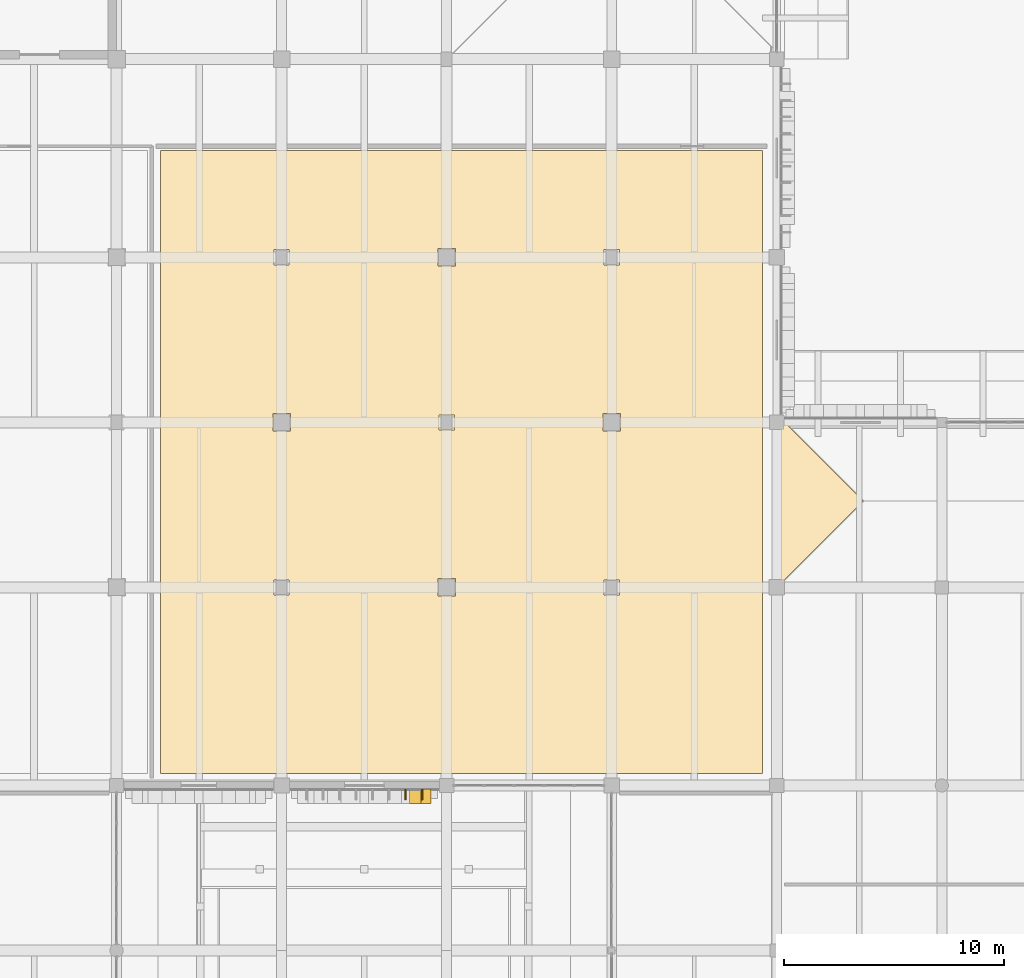
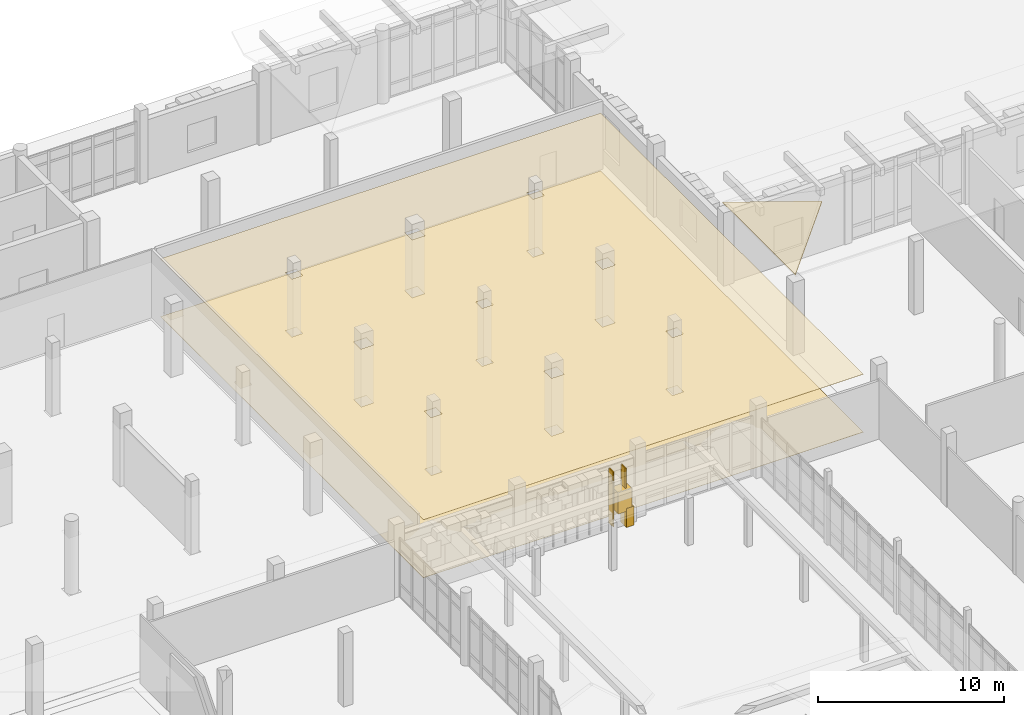
# One storey, part 123 of 125: 5 coverings, 2 shading devices.
"""IFC4 building model written with IfcOpenShell, lengths in metres."""

from ifc_helpers import new_model, si_unit, direction, frame, origin, origin_2d, place, context, subcontext, project, spatial, polyline, rectangle, outline, extrude, material, layer, layer_set, type_object, element, save


model = new_model("IFC4")

# Units and contexts
model_context = context("Model", 3, precision=1e-05, world=origin(), true_north=direction((0.0, 1.0)))
body_context = subcontext(model_context, "Body", "Model", "MODEL_VIEW")
ifc_project = project(units=[si_unit("LENGTHUNIT", "METRE"), si_unit("AREAUNIT", "SQUARE_METRE"), si_unit("VOLUMEUNIT", "CUBIC_METRE"), si_unit("PLANEANGLEUNIT", "RADIAN"), si_unit("MASSUNIT", "GRAM", prefix="KILO")], contexts=[model_context])

# Site, building, storey
site_placement = place(None, origin())
site = spatial("IfcSite", under=ifc_project, at=site_placement, CompositionType="ELEMENT")
building_placement = place(site_placement, origin())
building = spatial("IfcBuilding", under=site, at=building_placement, Name="Dalvernix Boulevard General Hospital", CompositionType="ELEMENT")
storey_placement = place(building_placement, origin())
storey = spatial("IfcBuildingStorey", under=building, at=storey_placement, Name="L00", CompositionType="ELEMENT", Elevation=0.0)

# Coverings
ifc_material_1 = material(Name="Pressed Catalan clay brick and dressed limestone parabolic archivolt", Category="masonry")
ifc_layer_1 = layer(ifc_material_1, 0.419921875)
ifc_layer_set_1 = layer_set([ifc_layer_1], Name="Pressed Catalan clay brick and dressed limestone parabolic archivolt (COV-ARC-01)")
covering_type_1 = type_object("IfcCoveringType", Name="COV-ARC-01", PredefinedType="CLADDING", material=ifc_layer_set_1)
covering_1_placement = place(storey_placement, frame((126.5625, 76.014892578125, 0.0), z_axis=(0.0, 0.0, 1.0), x_axis=(-1.0, 0.0, 0.0)))
element("IfcCovering", 1, at=covering_1_placement, inside=storey, type_object=covering_type_1, Name="L00 Catalan parabolic arch impost pier S 16-10-L", PredefinedType="CLADDING", context=body_context, shape_type="SweptSolid", body=[
    extrude(rectangle(XDim=0.4599609375, YDim=0.659912109375, at=origin_2d()), origin(), (0.0, 0.0, 1.0), 1.25),
])
covering_2_placement = place(storey_placement, frame((126.25146484375, 76.014892578125, 1.059814453125), z_axis=(0.0, 0.0, 1.0), x_axis=(-1.0, 0.0, 0.0)))
element("IfcCovering", 2, at=covering_2_placement, inside=storey, type_object=covering_type_1, Name="L00 Catalan parabolic archivolt voussoir S 16-10-1", PredefinedType="CLADDING", context=body_context, shape_type="SweptSolid", body=[
    extrude(rectangle(XDim=0.8623046875, YDim=0.659912109375, at=origin_2d()), origin(), (0.0, 0.0, 1.0), 1.3994140625),
])
ifc_material_2 = material(Name="Antimicrobial acoustic mineral-fibre suspended ceiling")
ifc_layer_2 = layer(ifc_material_2, 0.02490234375)
ifc_layer_set_2 = layer_set([ifc_layer_2], Name="Antimicrobial acoustic mineral-fibre suspended ceiling (COV-CEIL-01)")
covering_type_2 = type_object("IfcCoveringType", Name="COV-CEIL-01", PredefinedType="CEILING", material=ifc_layer_set_2)
covering_3_placement = place(storey_placement, frame((0.0, 0.0, 3.794921875)))
element("IfcCovering", 3, at=covering_3_placement, inside=storey, type_object=covering_type_2, Name="L00 Hospital Central Stores and Logistics Hall 04 hygienic suspended ceiling", PredefinedType="CEILING", context=body_context, shape_type="SweptSolid", body=[
    extrude(outline(polyline([(114.5, 77.050048828125), (114.5, 105.35009765625), (141.85009765625, 105.35009765625), (141.85009765625, 77.050048828125), (114.5, 77.050048828125)]), holes=[polyline([(120.344970703125, 85.844970703125), (119.655029296875, 85.844970703125), (119.655029296875, 85.155029296875), (120.344970703125, 85.155029296875), (120.344970703125, 85.844970703125)]), polyline([(120.39501953125, 92.60498046875), (120.39501953125, 93.39501953125), (119.60498046875, 93.39501953125), (119.60498046875, 92.60498046875), (120.39501953125, 92.60498046875)]), polyline([(119.655029296875, 100.155029296875), (120.344970703125, 100.155029296875), (120.344970703125, 100.844970703125), (119.655029296875, 100.844970703125), (119.655029296875, 100.155029296875)]), polyline([(127.10498046875, 85.89501953125), (127.10498046875, 85.10498046875), (127.89501953125, 85.10498046875), (127.89501953125, 85.89501953125), (127.10498046875, 85.89501953125)]), polyline([(127.844970703125, 93.344970703125), (127.155029296875, 93.344970703125), (127.155029296875, 92.655029296875), (127.844970703125, 92.655029296875), (127.844970703125, 93.344970703125)]), polyline([(127.89501953125, 100.10498046875), (127.89501953125, 100.89501953125), (127.10498046875, 100.89501953125), (127.10498046875, 100.10498046875), (127.89501953125, 100.10498046875)]), polyline([(134.655029296875, 85.155029296875), (135.344970703125, 85.155029296875), (135.344970703125, 85.844970703125), (134.655029296875, 85.844970703125), (134.655029296875, 85.155029296875)]), polyline([(134.60498046875, 93.39501953125), (134.60498046875, 92.60498046875), (135.39501953125, 92.60498046875), (135.39501953125, 93.39501953125), (134.60498046875, 93.39501953125)]), polyline([(135.344970703125, 100.844970703125), (134.655029296875, 100.844970703125), (134.655029296875, 100.155029296875), (135.344970703125, 100.155029296875), (135.344970703125, 100.844970703125)])]), origin(), (0.0, 0.0, 1.0), 0.025146484375),
])
ifc_material_3 = material(Name="Seamless welded medical vinyl and polished terrazzo flooring")
ifc_layer_3 = layer(ifc_material_3, 0.014892578125)
ifc_layer_set_3 = layer_set([ifc_layer_3], Name="Seamless welded medical vinyl and polished terrazzo flooring (COV-FLR-01)")
covering_type_3 = type_object("IfcCoveringType", Name="COV-FLR-01", PredefinedType="FLOORING", material=ifc_layer_set_3)
covering_4_placement = place(storey_placement, origin())
element("IfcCovering", 4, at=covering_4_placement, inside=storey, type_object=covering_type_3, Name="L00 Hospital Central Stores and Logistics Hall 04 seamless clinical flooring", PredefinedType="FLOORING", context=body_context, shape_type="SweptSolid", body=[
    extrude(outline(polyline([(114.5, 77.050048828125), (114.5, 105.35009765625), (141.85009765625, 105.35009765625), (141.85009765625, 77.050048828125), (114.5, 77.050048828125)]), holes=[polyline([(120.344970703125, 85.844970703125), (119.655029296875, 85.844970703125), (119.655029296875, 85.155029296875), (120.344970703125, 85.155029296875), (120.344970703125, 85.844970703125)]), polyline([(120.39501953125, 92.60498046875), (120.39501953125, 93.39501953125), (119.60498046875, 93.39501953125), (119.60498046875, 92.60498046875), (120.39501953125, 92.60498046875)]), polyline([(119.655029296875, 100.155029296875), (120.344970703125, 100.155029296875), (120.344970703125, 100.844970703125), (119.655029296875, 100.844970703125), (119.655029296875, 100.155029296875)]), polyline([(127.10498046875, 85.89501953125), (127.10498046875, 85.10498046875), (127.89501953125, 85.10498046875), (127.89501953125, 85.89501953125), (127.10498046875, 85.89501953125)]), polyline([(127.844970703125, 93.344970703125), (127.155029296875, 93.344970703125), (127.155029296875, 92.655029296875), (127.844970703125, 92.655029296875), (127.844970703125, 93.344970703125)]), polyline([(127.89501953125, 100.10498046875), (127.89501953125, 100.89501953125), (127.10498046875, 100.89501953125), (127.10498046875, 100.10498046875), (127.89501953125, 100.10498046875)]), polyline([(134.655029296875, 85.155029296875), (135.344970703125, 85.155029296875), (135.344970703125, 85.844970703125), (134.655029296875, 85.844970703125), (134.655029296875, 85.155029296875)]), polyline([(134.60498046875, 93.39501953125), (134.60498046875, 92.60498046875), (135.39501953125, 92.60498046875), (135.39501953125, 93.39501953125), (134.60498046875, 93.39501953125)]), polyline([(135.344970703125, 100.844970703125), (134.655029296875, 100.844970703125), (134.655029296875, 100.155029296875), (135.344970703125, 100.155029296875), (135.344970703125, 100.844970703125)])]), origin(), (0.0, 0.0, 1.0), 0.014892578125),
])
ifc_material_4 = material(Name="Polychrome Catalan glazed terracotta roof tiles", Category="masonry")
ifc_layer_4 = layer(ifc_material_4, 0.050048828125)
ifc_layer_set_4 = layer_set([ifc_layer_4], Name="Polychrome Catalan glazed terracotta roof tiles (COV-ROOF-01)")
covering_type_4 = type_object("IfcCoveringType", Name="COV-ROOF-01", PredefinedType="ROOFING", material=ifc_layer_set_4)
covering_5_placement = place(storey_placement, frame((142.5, 93.35009765625, 5.01611328125), z_axis=(-0.265536966303, 0.0, 0.964100679144), x_axis=(0.0, -1.0, 0.0)))
element("IfcCovering", 5, at=covering_5_placement, inside=storey, type_object=covering_type_4, Name="V2-L00N glazed terracotta tile slope W", PredefinedType="ROOFING", context=body_context, shape_type="SweptSolid", body=[
    extrude(outline(polyline([(0.0, 0.0), (7.85009765625, 0.0), (3.925048828125, 4.07120222299644), (0.0, 0.0)])), origin(), (0.0, 0.0, -1.0), 0.050048828125),
])

# Shading devices
ifc_material_5 = material(Name="Preservative-treated West African iroko timber", Category="wood")
shading_device_type = type_object("IfcShadingDeviceType", Name="SHD-FIN-01", PredefinedType="USERDEFINED", material=ifc_material_5)
for number, where, z_axis, x_axis, name in (
    (6, (126.387451171875, 76.094970703125, 0.175048828125), (0.0, 0.0, 1.0), (-1.0, 0.0, 0.0), "L00 iroko brise-soleil fin 1"),
    (7, (125.637451171875, 76.094970703125, 0.175048828125), (0.0, 0.0, 1.0), (-1.0, 0.0, 0.0), "L00 iroko brise-soleil fin 2"),
):
    element("IfcShadingDevice", number, at=place(storey_placement, frame(where, z_axis=z_axis, x_axis=x_axis)), inside=storey, type_object=shading_device_type, Name=name, ObjectType="FIN", PredefinedType="USERDEFINED", context=body_context, shape_type="SweptSolid", body=[
        extrude(rectangle(XDim=0.06494140625, YDim=0.47998046875, at=origin_2d()), origin(), (0.0, 0.0, 1.0), 3.60009765625),
    ])

save(model, "model.ifc")
